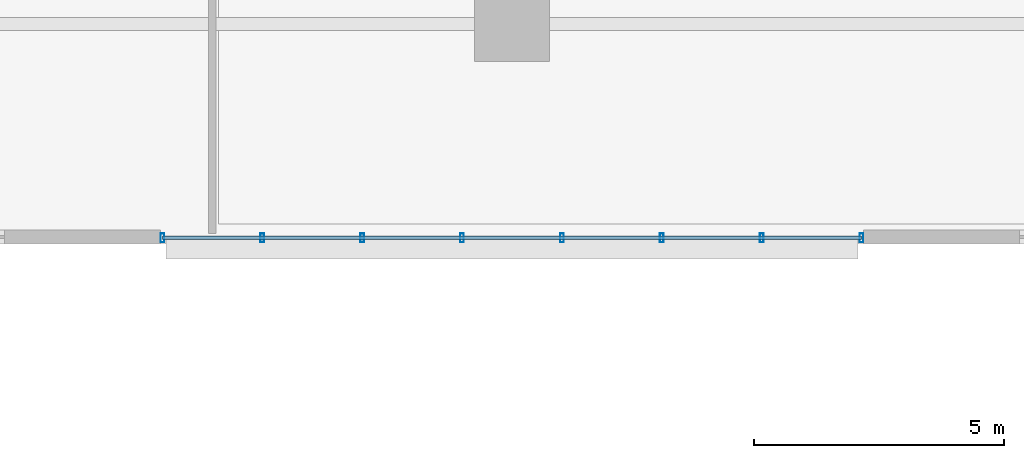
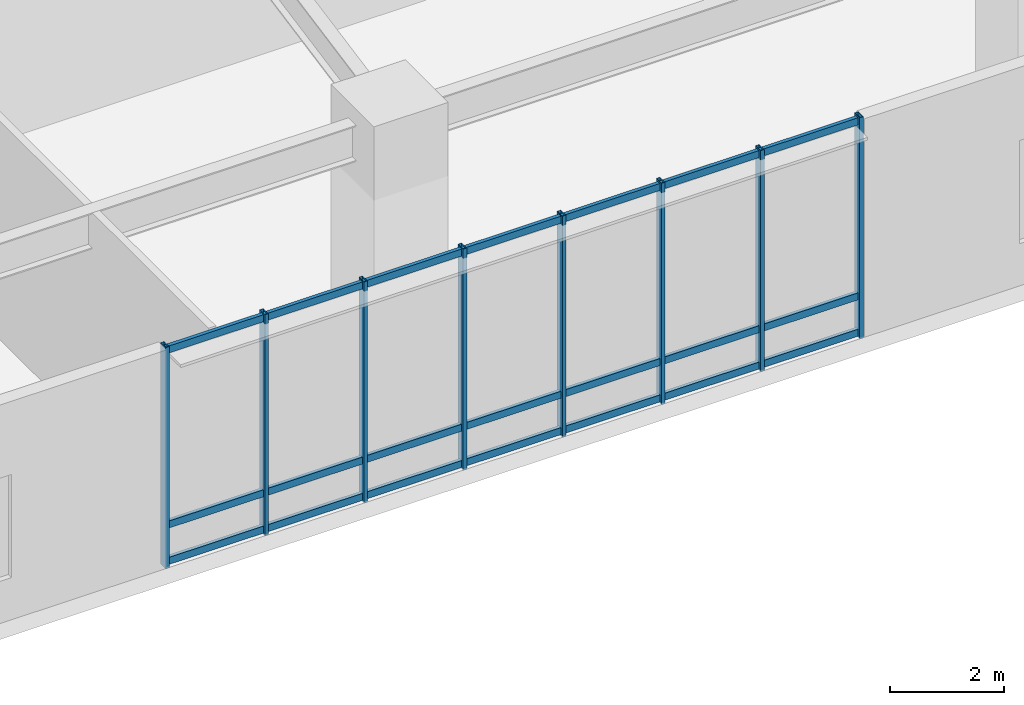
# One storey, part 3 of 24: 11 members, 1 element without a shape of its own.
"""IFC4 building model written with IfcOpenShell, lengths in metres."""

import ifcopenshell
import ifcopenshell.guid

model = None  # the IFC model being written
_history = None  # IfcOwnerHistory: only IFC2X3 demands one
_inside = {}  # id of a spatial element -> (the spatial element, [elements in it])
_under = {}  # id of a project, library or spatial element -> (it, [spatial elements below it])
_declared = {}  # id of a project -> (the project, [libraries it declares])
_typed = {}  # id of a type object -> (the type object, [elements of that type])
_made_of = {}  # id of a material, layer set ... -> (it, [elements and type objects made of it])


def new_model(schema):
    """Start an empty IFC model of exactly this schema.

    Asked for "IFC4X3", IfcOpenShell would pick the latest addendum, in which some entities
    have other attributes; the version numbers below select the first issue.
    IFC2X3 requires an IfcOwnerHistory on every rooted entity: one is made here for all.
    """
    global model, _history
    if schema == "IFC4X3":
        model = ifcopenshell.file(schema_version=(4, 3, 0, 0))
    else:
        model = ifcopenshell.file(schema=schema)
    _inside.clear()
    _under.clear()
    _declared.clear()
    _typed.clear()
    _made_of.clear()
    _history = None
    if model.schema == "IFC2X3":
        org = make("IfcOrganization", Name="unknown")
        user = make(
            "IfcPersonAndOrganization",
            ThePerson=make("IfcPerson", FamilyName="unknown"),
            TheOrganization=org,
        )
        app = make(
            "IfcApplication",
            ApplicationDeveloper=org,
            Version="unknown",
            ApplicationFullName="unknown",
            ApplicationIdentifier="unknown",
        )
        _history = make(
            "IfcOwnerHistory",
            OwningUser=user,
            OwningApplication=app,
            ChangeAction="ADDED",
            CreationDate=0,
        )
    return model


def make(cls, **values):
    """One entity of the class cls with the attributes given. An attribute that is None is left unset."""
    return model.create_entity(
        cls, **{name: value for name, value in values.items() if value is not None}
    )


def rooted(cls, **values):
    """An entity with a GlobalId (a new one), such as an element, a storey or a relation."""
    return make(cls, GlobalId=ifcopenshell.guid.new(), OwnerHistory=_history, **values)


def si_unit(unit_type, name, prefix=None):
    """IfcSIUnit, for example si_unit("LENGTHUNIT", "METRE", prefix="MILLI")."""
    return make("IfcSIUnit", UnitType=unit_type, Prefix=prefix, Name=name)


def assignment(units):
    """IfcUnitAssignment: the units of a project."""
    return None if units is None else make("IfcUnitAssignment", Units=units)


def point(xyz):
    """IfcCartesianPoint."""
    return None if xyz is None else make("IfcCartesianPoint", Coordinates=xyz)


def direction(xyz):
    """IfcDirection."""
    return None if xyz is None else make("IfcDirection", DirectionRatios=xyz)


def frame(location, z_axis=None, x_axis=None):
    """IfcAxis2Placement3D, a coordinate frame: its origin and axes. An axis left out is left unset."""
    return make(
        "IfcAxis2Placement3D",
        Location=point(location),
        Axis=direction(z_axis),
        RefDirection=direction(x_axis),
    )


def frame_2d(location, x_axis=None):
    """IfcAxis2Placement2D, a coordinate frame in the plane: its origin and x axis."""
    return make(
        "IfcAxis2Placement2D", Location=point(location), RefDirection=direction(x_axis)
    )


def origin():
    """The frame at (0, 0, 0) with its axes left unset."""
    return frame((0.0, 0.0, 0.0))


def origin_2d():
    """The frame at (0, 0) in the plane with its x axis left unset."""
    return frame_2d((0.0, 0.0))


def place(relative_to, where):
    """IfcLocalPlacement: puts the frame where relative to a parent placement (None: the world)."""
    return make(
        "IfcLocalPlacement", PlacementRelTo=relative_to, RelativePlacement=where
    )


def context(
    kind, dimensions, precision=None, world=None, true_north=None, identifier=None
):
    """IfcGeometricRepresentationContext, for example the 3D "Model" context."""
    return make(
        "IfcGeometricRepresentationContext",
        ContextIdentifier=identifier,
        ContextType=kind,
        CoordinateSpaceDimension=dimensions,
        Precision=precision,
        WorldCoordinateSystem=world,
        TrueNorth=true_north,
    )


def subcontext(parent, identifier, kind, view, scale=None):
    """IfcGeometricRepresentationSubContext, for example "Body" below "Model"."""
    return make(
        "IfcGeometricRepresentationSubContext",
        ContextIdentifier=identifier,
        ContextType=kind,
        ParentContext=parent,
        TargetScale=scale,
        TargetView=view,
    )


def project(units=None, contexts=None):
    """IfcProject with its units and contexts."""
    return rooted(
        "IfcProject",
        Name="project",
        RepresentationContexts=contexts,
        UnitsInContext=assignment(units),
    )


def spatial(cls, under=None, at=None, **own):
    """A site, building, storey or space (cls), placed at a placement, below another one or the project."""
    s = rooted(cls, ObjectPlacement=at, **own)
    if under is not None:
        _under.setdefault(under.id(), (under, []))[1].append(s)
    return s


def profile(cls, at=None, kind="AREA", **sizes):
    """A parametric profile (cls). Its sizes go by their IFC names, for example OverallWidth=200.0."""
    return make(cls, ProfileType=kind, Position=at, **sizes)


def hollow_rectangle(**sizes):
    """IfcRectangleHollowProfileDef."""
    return profile("IfcRectangleHollowProfileDef", **sizes)


def extrude(swept, where, along, depth):
    """IfcExtrudedAreaSolid: the profile swept, set in the frame where, extruded along a direction by depth."""
    return make(
        "IfcExtrudedAreaSolid",
        SweptArea=swept,
        Position=where,
        ExtrudedDirection=direction(along),
        Depth=depth,
    )


def shape(context_of_items, identifier, shape_type, items):
    """IfcShapeRepresentation: the items that make up one representation, for example the "Body"."""
    return make(
        "IfcShapeRepresentation",
        ContextOfItems=context_of_items,
        RepresentationIdentifier=identifier,
        RepresentationType=shape_type,
        Items=items,
    )


def material(Name=None, Category=None):
    """IfcMaterial."""
    return make("IfcMaterial", Name=Name, Category=Category)


def material_profile(
    of_material, cross_section, Name=None, Category=None, Priority=None
):
    """IfcMaterialProfile: a cross section and its material."""
    return make(
        "IfcMaterialProfile",
        Name=Name,
        Material=of_material,
        Profile=cross_section,
        Priority=Priority,
        Category=Category,
    )


def profile_set(profiles, Name=None, composite=None):
    """IfcMaterialProfileSet."""
    return make(
        "IfcMaterialProfileSet",
        Name=Name,
        MaterialProfiles=profiles,
        CompositeProfile=composite,
    )


def made_of(thing, what):
    """Note that an element or type object is made of a material, layer set ...; save() writes the relation."""
    if what is not None:
        _made_of.setdefault(what.id(), (what, []))[1].append(thing)
    return thing


def type_object(cls, material=None, **own):
    """A type object (cls), such as IfcWallType, which elements share."""
    return made_of(rooted(cls, **own), material)


def element(
    cls,
    number,
    at=None,
    inside=None,
    cuts=None,
    type_object=None,
    material=None,
    context=None,
    identifier="Body",
    shape_type=None,
    held_by="IfcProductDefinitionShape",
    body=None,
    shapes=None,
    **own,
):
    """One element of the class cls, such as IfcWall. Its Tag is "e" and its number.

    at: its placement. inside: the storey or other place that contains it. cuts: it is an
    opening in that element (IfcRelVoidsElement). A single representation is given by context,
    identifier, shape_type and body (its items); several are given by shapes. held_by: the class
    of the entity that holds the representations. save() writes the other relations.
    """
    e = rooted(cls, Tag="e%d" % number, ObjectPlacement=at, **own)
    if body is not None:
        shapes = [shape(context, identifier, shape_type, body)]
    if shapes is not None:
        e.Representation = make(held_by, Representations=shapes)
    if inside is not None:
        _inside.setdefault(inside.id(), (inside, []))[1].append(e)
    if cuts is not None:
        rooted(
            "IfcRelVoidsElement", RelatingBuildingElement=cuts, RelatedOpeningElement=e
        )
    if type_object is not None:
        _typed.setdefault(type_object.id(), (type_object, []))[1].append(e)
    return made_of(e, material)


def aggregate(whole, parts):
    """IfcRelAggregates: a whole, such as a stair, and the parts it consists of."""
    return rooted("IfcRelAggregates", RelatingObject=whole, RelatedObjects=parts)


def save(model, path):
    """Write the relations noted so far, then the file.

    IfcRelAggregates (storeys below a building ...), IfcRelContainedInSpatialStructure (elements
    in a storey), IfcRelDefinesByType, IfcRelAssociatesMaterial and IfcRelDeclares: one each for
    every whole, place, type object, material and project.
    """
    for whole, parts in _under.values():
        aggregate(whole, parts)
    for where, things in _inside.values():
        rooted(
            "IfcRelContainedInSpatialStructure",
            RelatedElements=things,
            RelatingStructure=where,
        )
    for kind, things in _typed.values():
        rooted("IfcRelDefinesByType", RelatedObjects=things, RelatingType=kind)
    for what, things in _made_of.values():
        rooted("IfcRelAssociatesMaterial", RelatedObjects=things, RelatingMaterial=what)
    for by, libraries in _declared.values():
        rooted("IfcRelDeclares", RelatingContext=by, RelatedDefinitions=libraries)
    model.write(path)


model = new_model("IFC4")

# Units and contexts
model_context = context("Model", 3, precision=1e-05, world=origin(), true_north=direction((0.0, 1.0)))
body_context = subcontext(model_context, "Body", "Model", "MODEL_VIEW")
ifc_project = project(units=[si_unit("LENGTHUNIT", "METRE"), si_unit("AREAUNIT", "SQUARE_METRE"), si_unit("VOLUMEUNIT", "CUBIC_METRE"), si_unit("PLANEANGLEUNIT", "RADIAN"), si_unit("MASSUNIT", "GRAM", prefix="KILO")], contexts=[model_context])

# Site, building, storey
site_placement = place(None, origin())
site = spatial("IfcSite", under=ifc_project, at=site_placement, CompositionType="ELEMENT")
building_placement = place(site_placement, origin())
building = spatial("IfcBuilding", under=site, at=building_placement, Name="Zulverin Broadcast Headquarters", CompositionType="ELEMENT")
storey_placement = place(building_placement, frame((0.0, 0.0, 5.0)))
storey = spatial("IfcBuildingStorey", under=building, at=storey_placement, Name="L01", CompositionType="ELEMENT", Elevation=5.0)

# Curtain wall, members
ifc_material_1 = material(Name="Pale-metal unitised podium curtain wall", Category="aluminium")
curtain_wall_type = type_object("IfcCurtainWallType", Name="CW-POD", PredefinedType="USERDEFINED", material=ifc_material_1)
curtain_wall_placement = place(storey_placement, origin())
curtain_wall = element("IfcCurtainWall", 1, at=curtain_wall_placement, inside=storey, type_object=curtain_wall_type, Name="L01 Unitised Curtain Wall CW-L01-S4", ObjectType="UNITISED CURTAIN WALL", PredefinedType="USERDEFINED")
ifc_material_2 = material(Name="Anodized pale-metal aluminium alloy 6063-T6", Category="aluminium")
ifc_material_profile_1 = material_profile(ifc_material_2, hollow_rectangle(XDim=0.074951171875, YDim=0.179931640625, WallThickness=0.0048828125, at=origin_2d()), Name="Anodized pale-metal aluminium alloy 6063-T6", Category="aluminium")
ifc_profile_set_1 = profile_set([ifc_material_profile_1], Name="Anodized pale-metal aluminium alloy 6063-T6")
member_type_1 = type_object("IfcMemberType", Name="CW-MUL-180", PredefinedType="MULLION", material=ifc_profile_set_1)
member_1_placement = place(storey_placement, frame((30.0, 0.1201171875, -0.030029296875), z_axis=(0.0, 0.0, 1.0), x_axis=(1.0, 0.0, 0.0)))
member_1 = element("IfcMember", 2, at=member_1_placement, type_object=member_type_1, Name="CW-L01-S4 Mullion 00", PredefinedType="MULLION", context=body_context, shape_type="SweptSolid", body=[
    extrude(hollow_rectangle(XDim=0.074951171875, YDim=0.179931640625, WallThickness=0.0048828125, at=origin_2d()), origin(), (0.0, 0.0, 1.0), 4.719970703125),
])
member_2_placement = place(storey_placement, frame((32.0, 0.1201171875, -0.030029296875), z_axis=(0.0, 0.0, 1.0), x_axis=(1.0, 0.0, 0.0)))
member_2 = element("IfcMember", 3, at=member_2_placement, type_object=member_type_1, Name="CW-L01-S4 Mullion 01", PredefinedType="MULLION", context=body_context, shape_type="SweptSolid", body=[
    extrude(hollow_rectangle(XDim=0.074951171875, YDim=0.179931640625, WallThickness=0.0048828125, at=origin_2d()), origin(), (0.0, 0.0, 1.0), 4.719970703125),
])
member_3_placement = place(storey_placement, frame((34.0, 0.1201171875, -0.030029296875), z_axis=(0.0, 0.0, 1.0), x_axis=(1.0, 0.0, 0.0)))
member_3 = element("IfcMember", 4, at=member_3_placement, type_object=member_type_1, Name="CW-L01-S4 Mullion 02", PredefinedType="MULLION", context=body_context, shape_type="SweptSolid", body=[
    extrude(hollow_rectangle(XDim=0.074951171875, YDim=0.179931640625, WallThickness=0.0048828125, at=origin_2d()), origin(), (0.0, 0.0, 1.0), 4.719970703125),
])
member_4_placement = place(storey_placement, frame((36.0, 0.1201171875, -0.030029296875), z_axis=(0.0, 0.0, 1.0), x_axis=(1.0, 0.0, 0.0)))
member_4 = element("IfcMember", 5, at=member_4_placement, type_object=member_type_1, Name="CW-L01-S4 Mullion 03", PredefinedType="MULLION", context=body_context, shape_type="SweptSolid", body=[
    extrude(hollow_rectangle(XDim=0.074951171875, YDim=0.179931640625, WallThickness=0.0048828125, at=origin_2d()), origin(), (0.0, 0.0, 1.0), 4.719970703125),
])
member_5_placement = place(storey_placement, frame((38.0, 0.1201171875, -0.030029296875), z_axis=(0.0, 0.0, 1.0), x_axis=(1.0, 0.0, 0.0)))
member_5 = element("IfcMember", 6, at=member_5_placement, type_object=member_type_1, Name="CW-L01-S4 Mullion 04", PredefinedType="MULLION", context=body_context, shape_type="SweptSolid", body=[
    extrude(hollow_rectangle(XDim=0.074951171875, YDim=0.179931640625, WallThickness=0.0048828125, at=origin_2d()), origin(), (0.0, 0.0, 1.0), 4.719970703125),
])
member_6_placement = place(storey_placement, frame((40.0, 0.1201171875, -0.030029296875), z_axis=(0.0, 0.0, 1.0), x_axis=(1.0, 0.0, 0.0)))
member_6 = element("IfcMember", 7, at=member_6_placement, type_object=member_type_1, Name="CW-L01-S4 Mullion 05", PredefinedType="MULLION", context=body_context, shape_type="SweptSolid", body=[
    extrude(hollow_rectangle(XDim=0.074951171875, YDim=0.179931640625, WallThickness=0.0048828125, at=origin_2d()), origin(), (0.0, 0.0, 1.0), 4.719970703125),
])
member_7_placement = place(storey_placement, frame((42.0, 0.1201171875, -0.030029296875), z_axis=(0.0, 0.0, 1.0), x_axis=(1.0, 0.0, 0.0)))
member_7 = element("IfcMember", 8, at=member_7_placement, type_object=member_type_1, Name="CW-L01-S4 Mullion 06", PredefinedType="MULLION", context=body_context, shape_type="SweptSolid", body=[
    extrude(hollow_rectangle(XDim=0.074951171875, YDim=0.179931640625, WallThickness=0.0048828125, at=origin_2d()), origin(), (0.0, 0.0, 1.0), 4.719970703125),
])
member_8_placement = place(storey_placement, frame((44.0, 0.1201171875, -0.030029296875), z_axis=(0.0, 0.0, 1.0), x_axis=(1.0, 0.0, 0.0)))
member_8 = element("IfcMember", 9, at=member_8_placement, type_object=member_type_1, Name="CW-L01-S4 Mullion 07", PredefinedType="MULLION", context=body_context, shape_type="SweptSolid", body=[
    extrude(hollow_rectangle(XDim=0.074951171875, YDim=0.179931640625, WallThickness=0.0048828125, at=origin_2d()), origin(), (0.0, 0.0, 1.0), 4.719970703125),
])
ifc_material_profile_2 = material_profile(ifc_material_2, hollow_rectangle(XDim=0.074951171875, YDim=0.14990234375, WallThickness=0.0048828125, at=origin_2d()), Name="Anodized pale-metal aluminium alloy 6063-T6", Category="aluminium")
ifc_profile_set_2 = profile_set([ifc_material_profile_2], Name="Anodized pale-metal aluminium alloy 6063-T6")
member_type_2 = type_object("IfcMemberType", Name="CW-TRN-150", PredefinedType="USERDEFINED", material=ifc_profile_set_2)
member_9_placement = place(storey_placement, frame((30.0, 0.1201171875, 0.074951171875), z_axis=(1.0, 0.0, 0.0), x_axis=(0.0, 1.0, 0.0)))
member_9 = element("IfcMember", 10, at=member_9_placement, type_object=member_type_2, Name="CW-L01-S4 Transom 0", ObjectType="TRANSOM", PredefinedType="USERDEFINED", context=body_context, shape_type="SweptSolid", body=[
    extrude(hollow_rectangle(XDim=0.074951171875, YDim=0.14990234375, WallThickness=0.0048828125, at=origin_2d()), origin(), (0.0, 0.0, 1.0), 14.0),
])
member_10_placement = place(storey_placement, frame((30.0, 0.1201171875, 0.85009765625), z_axis=(1.0, 0.0, 0.0), x_axis=(0.0, 1.0, 0.0)))
member_10 = element("IfcMember", 11, at=member_10_placement, type_object=member_type_2, Name="CW-L01-S4 Transom 1", ObjectType="TRANSOM", PredefinedType="USERDEFINED", context=body_context, shape_type="SweptSolid", body=[
    extrude(hollow_rectangle(XDim=0.074951171875, YDim=0.14990234375, WallThickness=0.0048828125, at=origin_2d()), origin(), (0.0, 0.0, 1.0), 14.0),
])
member_11_placement = place(storey_placement, frame((30.0, 0.1201171875, 4.5849609375), z_axis=(1.0, 0.0, 0.0), x_axis=(0.0, 1.0, 0.0)))
member_11 = element("IfcMember", 12, at=member_11_placement, type_object=member_type_2, Name="CW-L01-S4 Transom 2", ObjectType="TRANSOM", PredefinedType="USERDEFINED", context=body_context, shape_type="SweptSolid", body=[
    extrude(hollow_rectangle(XDim=0.074951171875, YDim=0.14990234375, WallThickness=0.0048828125, at=origin_2d()), origin(), (0.0, 0.0, 1.0), 14.0),
])
aggregate(curtain_wall, [member_1, member_2, member_3, member_4, member_5, member_6, member_7, member_8, member_9, member_10, member_11])

save(model, "model.ifc")
